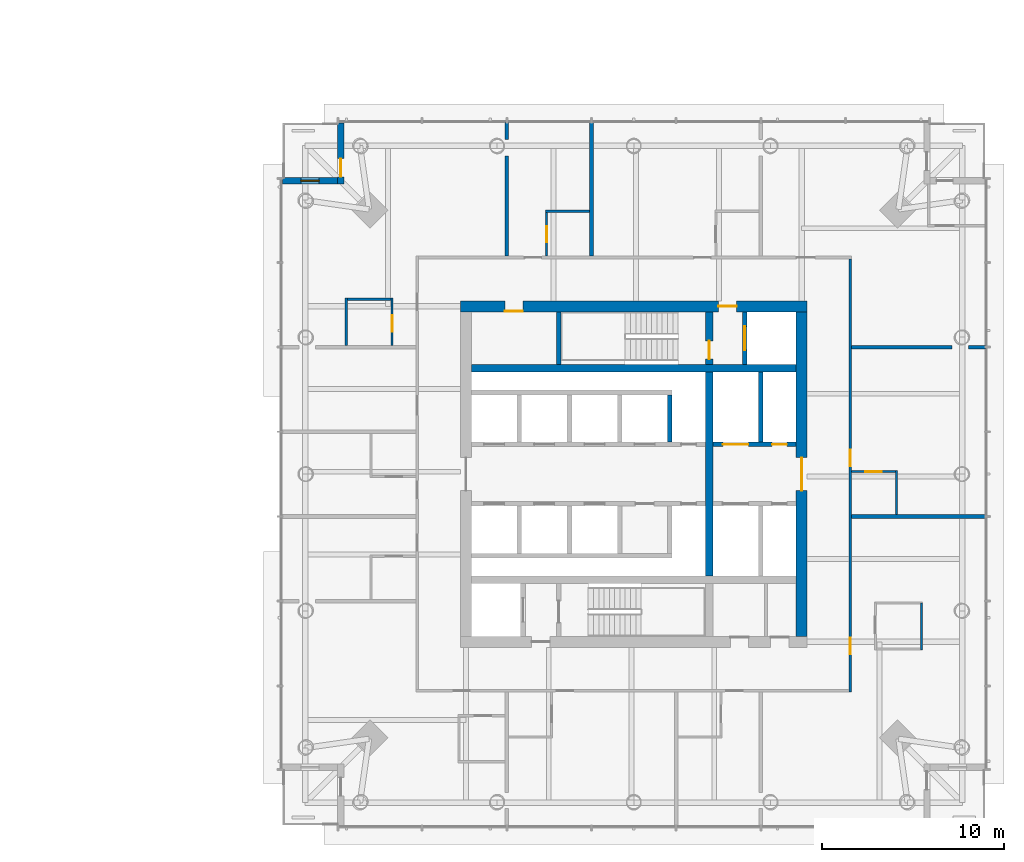
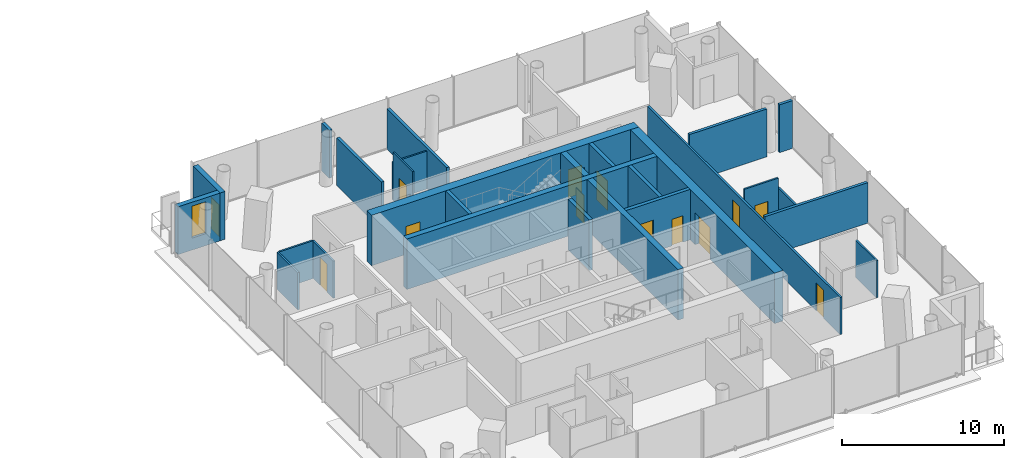
# One storey, part 14 of 21: 27 walls, 13 doors, 1 window, 14 openings.
"""IFC4 building model written with IfcOpenShell, lengths in metres."""

from ifc_helpers import new_model, si_unit, direction, frame, frame_2d, origin, place, context, subcontext, project, spatial, rectangle, extrude, material, layer, layer_set, type_object, element, fill, save


model = new_model("IFC4")

# Units and contexts
model_context = context("Model", 3, precision=1e-05, world=origin(), true_north=direction((0.0, 1.0)))
body_context = subcontext(model_context, "Body", "Model", "MODEL_VIEW")
ifc_project = project(units=[si_unit("LENGTHUNIT", "METRE"), si_unit("AREAUNIT", "SQUARE_METRE"), si_unit("VOLUMEUNIT", "CUBIC_METRE"), si_unit("PLANEANGLEUNIT", "RADIAN"), si_unit("MASSUNIT", "GRAM", prefix="KILO")], contexts=[model_context])

# Site, building, storey
site_placement = place(None, origin())
site = spatial("IfcSite", under=ifc_project, at=site_placement, CompositionType="ELEMENT")
building_placement = place(site_placement, origin())
building = spatial("IfcBuilding", under=site, at=building_placement, Name="Ostroluk Exchange", CompositionType="ELEMENT")
storey_placement = place(building_placement, frame((0.0, 0.0, 43.800048828125)))
storey = spatial("IfcBuildingStorey", under=building, at=storey_placement, Name="L10", CompositionType="ELEMENT", Elevation=43.800048828125)

# Walls
ifc_material_1 = material(Name="Concrete C50/60", Category="concrete")
ifc_layer_1 = layer(ifc_material_1, 0.39990234375)
ifc_layer_set_1 = layer_set([ifc_layer_1], Name="Core cross wall 400 C50/60")
wall_type_1 = type_object("IfcWallType", Name="Core cross wall 400 C50/60", PredefinedType="SHEAR", material=ifc_layer_set_1)
wall_1_placement = place(storey_placement, frame((108.10009765625, 51.800048828125, 0.0), z_axis=(0.0, 0.0, 1.0), x_axis=(1.0, 0.0, 0.0)))
element("IfcWall", 1, at=wall_1_placement, inside=storey, type_object=wall_type_1, Name="T2 core wall XN", PredefinedType="SHEAR", context=body_context, shape_type="SweptSolid", body=[
    extrude(rectangle(XDim=17.7998046875, YDim=0.39990234375, at=frame_2d((8.89990234375, 0.0))), origin(), (0.0, 0.0, 1.0), 3.800048828125),
])
wall_2_placement = place(storey_placement, frame((121.1298828125, 40.39990234375, 0.0), z_axis=(0.0, 0.0, 1.0), x_axis=(0.0, 1.0, 0.0)))
element("IfcWall", 2, at=wall_2_placement, inside=storey, type_object=wall_type_1, Name="T2 core wall YE2", PredefinedType="SHEAR", context=body_context, shape_type="SweptSolid", body=[
    extrude(rectangle(XDim=11.2001953125, YDim=0.39990234375, at=frame_2d((5.60009765625, 0.0))), origin(), (0.0, 0.0, 1.0), 3.800048828125),
])

# Wall, opening, door
wall_3_placement = place(storey_placement, frame((121.1298828125, 52.0, 0.0), z_axis=(0.0, 0.0, 1.0), x_axis=(0.0, 1.0, 0.0)))
wall_3 = element("IfcWall", 3, at=wall_3_placement, inside=storey, type_object=wall_type_1, Name="T2 core wall YE3", PredefinedType="SHEAR", context=body_context, shape_type="SweptSolid", body=[
    extrude(rectangle(XDim=2.89990234375, YDim=0.39990234375, at=frame_2d((1.449951171875, 0.0))), origin(), (0.0, 0.0, 1.0), 3.800048828125),
])
opening_1_placement = place(wall_3_placement, frame((0.300048828125, 0.0, 0.0)))
opening_1 = element("IfcOpeningElement", 4, at=opening_1_placement, cuts=wall_3, Name="Opening FD60", PredefinedType="OPENING", context=body_context, shape_type="SweptSolid", body=[
    extrude(rectangle(XDim=1.0, YDim=2.10009765625, at=frame_2d((0.5, 1.050048828125))), frame((0.0, 0.2099609375, 0.0), z_axis=(0.0, -1.0, 0.0), x_axis=(1.0, 0.0, 0.0)), (0.0, 0.0, 1.0), 0.419921875),
])
ifc_material_2 = material(Name="Steel", Category="steel")
door_type_1 = type_object("IfcDoorType", Name="Fire door EI 60 1000 x 2100", OperationType="SINGLE_SWING_LEFT", PredefinedType="DOOR", material=ifc_material_2)
door_1_placement = place(opening_1_placement, origin())
door_1 = element("IfcDoor", 5, at=door_1_placement, inside=storey, type_object=door_type_1, Name="Stair T2-S2 door", OperationType="SINGLE_SWING_LEFT", OverallHeight=2.10009765625, OverallWidth=1.0, PredefinedType="DOOR", context=body_context, shape_type="SweptSolid", body=[
    extrude(rectangle(XDim=1.0, YDim=2.10009765625, at=frame_2d((0.5, 1.050048828125))), frame((0.0, 0.02490234375, 0.0), z_axis=(0.0, -1.0, 0.0), x_axis=(1.0, 0.0, 0.0)), (0.0, 0.0, 1.0), 0.050048828125),
])
fill(opening_1, door_1)

# Wall
ifc_material_3 = material(Name="Concrete C40/50", Category="concrete")
ifc_layer_2 = layer(ifc_material_3, 0.25)
ifc_layer_set_2 = layer_set([ifc_layer_2], Name="Core shaft wall 250")
wall_type_2 = type_object("IfcWallType", Name="Core shaft wall 250", PredefinedType="SHEAR", material=ifc_layer_set_2)
wall_4_placement = place(storey_placement, frame((112.875, 52.0, 0.0), z_axis=(0.0, 0.0, 1.0), x_axis=(0.0, 1.0, 0.0)))
element("IfcWall", 6, at=wall_4_placement, inside=storey, type_object=wall_type_2, Name="Stair shaft wall", PredefinedType="SHEAR", context=body_context, shape_type="SweptSolid", body=[
    extrude(rectangle(XDim=2.89990234375, YDim=0.25, at=frame_2d((1.449951171875, 0.0))), origin(), (0.0, 0.0, 1.0), 3.800048828125),
])

# Wall, opening, door
wall_5_placement = place(storey_placement, frame((123.074951171875, 52.0, 0.0), z_axis=(0.0, 0.0, 1.0), x_axis=(0.0, 1.0, 0.0)))
wall_5 = element("IfcWall", 7, at=wall_5_placement, inside=storey, type_object=wall_type_2, Name="Firefighting lift shaft wall", PredefinedType="SHEAR", context=body_context, shape_type="SweptSolid", body=[
    extrude(rectangle(XDim=2.89990234375, YDim=0.25, at=frame_2d((1.449951171875, 0.0))), origin(), (0.0, 0.0, 1.0), 3.800048828125),
])
opening_2_placement = place(wall_5_placement, frame((0.800048828125, 0.0, 0.0)))
opening_2 = element("IfcOpeningElement", 8, at=opening_2_placement, cuts=wall_5, Name="Opening LD2", PredefinedType="OPENING", context=body_context, shape_type="SweptSolid", body=[
    extrude(rectangle(XDim=1.300048828125, YDim=2.199951171875, at=frame_2d((0.64990234375, 1.10009765625))), frame((0.0, 0.135009765625, 0.0), z_axis=(0.0, -1.0, 0.0), x_axis=(1.0, 0.0, 0.0)), (0.0, 0.0, 1.0), 0.27001953125),
])
ifc_material_4 = material(Name="Stainless steel", Category="steel")
door_type_2 = type_object("IfcDoorType", Name="Lift landing door E 60 1300 x 2200", OperationType="DOUBLE_DOOR_SLIDING", PredefinedType="DOOR", material=ifc_material_4)
door_2_placement = place(opening_2_placement, origin())
door_2 = element("IfcDoor", 9, at=door_2_placement, inside=storey, type_object=door_type_2, Name="Lift HF2 landing door", OperationType="DOUBLE_DOOR_SLIDING", OverallHeight=2.199951171875, OverallWidth=1.300048828125, PredefinedType="DOOR", context=body_context, shape_type="SweptSolid", body=[
    extrude(rectangle(XDim=1.300048828125, YDim=2.199951171875, at=frame_2d((0.64990234375, 1.10009765625))), frame((0.0, 0.02490234375, 0.0), z_axis=(0.0, -1.0, 0.0), x_axis=(1.0, 0.0, 0.0)), (0.0, 0.0, 1.0), 0.050048828125),
])
fill(opening_2, door_2)

# Walls
wall_6_placement = place(storey_placement, frame((118.97509765625, 47.75, 0.0), z_axis=(0.0, 0.0, 1.0), x_axis=(0.0, 1.0, 0.0)))
element("IfcWall", 10, at=wall_6_placement, inside=storey, type_object=wall_type_2, Name="Lift shaft wall", PredefinedType="SHEAR", context=body_context, shape_type="SweptSolid", body=[
    extrude(rectangle(XDim=2.60009765625, YDim=0.25, at=frame_2d((1.300048828125, 0.0))), origin(), (0.0, 0.0, 1.0), 3.800048828125),
])
wall_7_placement = place(storey_placement, frame((123.955078125, 47.75, 0.0), z_axis=(0.0, 0.0, 1.0), x_axis=(0.0, 1.0, 0.0)))
element("IfcWall", 11, at=wall_7_placement, inside=storey, type_object=wall_type_2, Name="Lift shaft wall", PredefinedType="SHEAR", context=body_context, shape_type="SweptSolid", body=[
    extrude(rectangle(XDim=3.85009765625, YDim=0.25, at=frame_2d((1.925048828125, 0.0))), origin(), (0.0, 0.0, 1.0), 3.800048828125),
])

# Wall, openings, doors
wall_8_placement = place(storey_placement, frame((121.330078125, 47.625, 0.0), z_axis=(0.0, 0.0, 1.0), x_axis=(1.0, 0.0, 0.0)))
wall_8 = element("IfcWall", 12, at=wall_8_placement, inside=storey, type_object=wall_type_2, Name="Lift shaft front wall", PredefinedType="SHEAR", context=body_context, shape_type="SweptSolid", body=[
    extrude(rectangle(XDim=4.56982421875, YDim=0.25, at=frame_2d((2.284912109375, 0.0))), origin(), (0.0, 0.0, 1.0), 3.800048828125),
])
opening_3_placement = place(wall_8_placement, frame((0.550048828125, 0.0, 0.0)))
opening_3 = element("IfcOpeningElement", 13, at=opening_3_placement, cuts=wall_8, Name="Opening LD3", PredefinedType="OPENING", context=body_context, shape_type="SweptSolid", body=[
    extrude(rectangle(XDim=1.39990234375, YDim=2.39990234375, at=frame_2d((0.699951171875, 1.199951171875))), frame((0.0, 0.135009765625, 0.0), z_axis=(0.0, -1.0, 0.0), x_axis=(1.0, 0.0, 0.0)), (0.0, 0.0, 1.0), 0.27001953125),
])
opening_4_placement = place(wall_8_placement, frame((3.260009765625, 0.0, 0.0)))
opening_4 = element("IfcOpeningElement", 14, at=opening_4_placement, cuts=wall_8, Name="Opening RD60", PredefinedType="OPENING", context=body_context, shape_type="SweptSolid", body=[
    extrude(rectangle(XDim=0.800048828125, YDim=2.0, at=frame_2d((0.39990234375, 1.0))), frame((0.0, 0.135009765625, 0.0), z_axis=(0.0, -1.0, 0.0), x_axis=(1.0, 0.0, 0.0)), (0.0, 0.0, 1.0), 0.27001953125),
])
ifc_material_5 = material(Name="Stainless steel", Category="steel")
door_type_3 = type_object("IfcDoorType", Name="Goods lift landing door E 60 1400 x 2400", OperationType="DOUBLE_DOOR_SLIDING", PredefinedType="DOOR", material=ifc_material_5)
door_3_placement = place(opening_3_placement, origin())
door_3 = element("IfcDoor", 15, at=door_3_placement, inside=storey, type_object=door_type_3, Name="Lift HS1 landing door", OperationType="DOUBLE_DOOR_SLIDING", OverallHeight=2.39990234375, OverallWidth=1.39990234375, PredefinedType="DOOR", context=body_context, shape_type="SweptSolid", body=[
    extrude(rectangle(XDim=1.39990234375, YDim=2.39990234375, at=frame_2d((0.699951171875, 1.199951171875))), frame((0.0, 0.02490234375, 0.0), z_axis=(0.0, -1.0, 0.0), x_axis=(1.0, 0.0, 0.0)), (0.0, 0.0, 1.0), 0.050048828125),
])
fill(opening_3, door_3)
ifc_material_6 = material(Name="Steel", Category="steel")
door_type_4 = type_object("IfcDoorType", Name="Riser access door EI 60 800 x 2000", OperationType="SINGLE_SWING_LEFT", PredefinedType="DOOR", material=ifc_material_6)
door_4_placement = place(opening_4_placement, origin())
door_4 = element("IfcDoor", 16, at=door_4_placement, inside=storey, type_object=door_type_4, Name="Riser access door", OperationType="SINGLE_SWING_RIGHT", OverallHeight=2.0, OverallWidth=0.800048828125, PredefinedType="DOOR", context=body_context, shape_type="SweptSolid", body=[
    extrude(rectangle(XDim=0.800048828125, YDim=2.0, at=frame_2d((0.39990234375, 1.0))), frame((0.0, 0.02490234375, 0.0), z_axis=(0.0, -1.0, 0.0), x_axis=(1.0, 0.0, 0.0)), (0.0, 0.0, 1.0), 0.050048828125),
])
fill(opening_4, door_4)

ifc_material_7 = material(Name="Concrete C50/60", Category="concrete")
ifc_layer_3 = layer(ifc_material_7, 0.60009765625)
ifc_layer_set_3 = layer_set([ifc_layer_3], Name="Core wall 600 C50/60")
wall_type_3 = type_object("IfcWallType", Name="Core wall 600 C50/60", PredefinedType="SHEAR", material=ifc_layer_set_3)
wall_9_placement = place(storey_placement, frame((107.5, 55.199951171875, 0.0), z_axis=(0.0, 0.0, 1.0), x_axis=(1.0, 0.0, 0.0)))
wall_9 = element("IfcWall", 17, at=wall_9_placement, inside=storey, type_object=wall_type_3, Name="T2 core wall N", PredefinedType="SHEAR", context=body_context, shape_type="SweptSolid", body=[
    extrude(rectangle(XDim=19.0, YDim=0.60009765625, at=frame_2d((9.5, 0.0))), origin(), (0.0, 0.0, 1.0), 3.800048828125),
])
opening_5_placement = place(wall_9_placement, frame((14.139892578125, 0.0, 0.0)))
opening_5 = element("IfcOpeningElement", 18, at=opening_5_placement, cuts=wall_9, Name="Opening FD60", PredefinedType="OPENING", context=body_context, shape_type="SweptSolid", body=[
    extrude(rectangle(XDim=1.0, YDim=2.10009765625, at=frame_2d((0.5, 1.050048828125))), frame((0.0, 0.31005859375, 0.0), z_axis=(0.0, -1.0, 0.0), x_axis=(1.0, 0.0, 0.0)), (0.0, 0.0, 1.0), 0.6201171875),
])
opening_6_placement = place(wall_9_placement, frame((2.425048828125, 0.0, 0.0)))
opening_6 = element("IfcOpeningElement", 19, at=opening_6_placement, cuts=wall_9, Name="Opening FD60", PredefinedType="OPENING", context=body_context, shape_type="SweptSolid", body=[
    extrude(rectangle(XDim=1.0, YDim=2.10009765625, at=frame_2d((0.5, 1.050048828125))), frame((0.0, 0.31005859375, 0.0), z_axis=(0.0, -1.0, 0.0), x_axis=(1.0, 0.0, 0.0)), (0.0, 0.0, 1.0), 0.6201171875),
])
door_5_placement = place(opening_5_placement, origin())
door_5 = element("IfcDoor", 20, at=door_5_placement, inside=storey, type_object=door_type_1, Name="Firefighting lobby door", OperationType="SINGLE_SWING_RIGHT", OverallHeight=2.10009765625, OverallWidth=1.0, PredefinedType="DOOR", context=body_context, shape_type="SweptSolid", body=[
    extrude(rectangle(XDim=1.0, YDim=2.10009765625, at=frame_2d((0.5, 1.050048828125))), frame((0.0, 0.02490234375, 0.0), z_axis=(0.0, -1.0, 0.0), x_axis=(1.0, 0.0, 0.0)), (0.0, 0.0, 1.0), 0.050048828125),
])
fill(opening_5, door_5)
door_6_placement = place(opening_6_placement, origin())
door_6 = element("IfcDoor", 21, at=door_6_placement, inside=storey, type_object=door_type_1, Name="Ice and vending room door", OperationType="SINGLE_SWING_LEFT", OverallHeight=2.10009765625, OverallWidth=1.0, PredefinedType="DOOR", context=body_context, shape_type="SweptSolid", body=[
    extrude(rectangle(XDim=1.0, YDim=2.10009765625, at=frame_2d((0.5, 1.050048828125))), frame((0.0, -0.23974609375, 0.0), z_axis=(0.0, -1.0, 0.0), x_axis=(1.0, 0.0, 0.0)), (0.0, 0.0, 1.0), 0.050048828125),
])
fill(opening_6, door_6)

# Wall, opening, door
wall_10_placement = place(storey_placement, frame((126.199951171875, 37.10009765625, 0.0), z_axis=(0.0, 0.0, 1.0), x_axis=(0.0, 1.0, 0.0)))
wall_10 = element("IfcWall", 22, at=wall_10_placement, inside=storey, type_object=wall_type_3, Name="T2 core wall E", PredefinedType="SHEAR", context=body_context, shape_type="SweptSolid", body=[
    extrude(rectangle(XDim=17.7998046875, YDim=0.60009765625, at=frame_2d((8.89990234375, 0.0))), origin(), (0.0, 0.0, 1.0), 3.800048828125),
])
opening_7_placement = place(wall_10_placement, frame((8.0, 0.0, 0.0)))
opening_7 = element("IfcOpeningElement", 23, at=opening_7_placement, cuts=wall_10, Name="Opening FD30D", PredefinedType="OPENING", context=body_context, shape_type="SweptSolid", body=[
    extrude(rectangle(XDim=1.800048828125, YDim=2.39990234375, at=frame_2d((0.89990234375, 1.199951171875))), frame((0.0, 0.31005859375, 0.0), z_axis=(0.0, -1.0, 0.0), x_axis=(1.0, 0.0, 0.0)), (0.0, 0.0, 1.0), 0.6201171875),
])
ifc_material_8 = material(Name="Timber", Category="wood")
door_type_5 = type_object("IfcDoorType", Name="Lobby double door EI 30 1800 x 2400", OperationType="DOUBLE_DOOR_SINGLE_SWING", PredefinedType="DOOR", material=ifc_material_8)
door_7_placement = place(opening_7_placement, origin())
door_7 = element("IfcDoor", 24, at=door_7_placement, inside=storey, type_object=door_type_5, Name="Lift lobby doors", OperationType="DOUBLE_DOOR_SINGLE_SWING", OverallHeight=2.39990234375, OverallWidth=1.800048828125, PredefinedType="DOOR", context=body_context, shape_type="SweptSolid", body=[
    extrude(rectangle(XDim=1.800048828125, YDim=2.39990234375, at=frame_2d((0.89990234375, 1.199951171875))), frame((0.0, 0.02490234375, 0.0), z_axis=(0.0, -1.0, 0.0), x_axis=(1.0, 0.0, 0.0)), (0.0, 0.0, 1.0), 0.050048828125),
])
fill(opening_7, door_7)

ifc_material_9 = material(Name="Limestone", Category="masonry")
ifc_layer_4 = layer(ifc_material_9, 0.35009765625)
ifc_layer_set_4 = layer_set([ifc_layer_4], Name="Limestone facade wall 350")
wall_type_4 = type_object("IfcWallType", Name="Limestone facade wall 350", PredefinedType="SOLIDWALL", material=ifc_layer_set_4)
wall_11_placement = place(storey_placement, frame((100.925048828125, 65.25, 0.0), z_axis=(0.0, 0.0, 1.0), x_axis=(0.0, -1.0, 0.0)))
wall_11 = element("IfcWall", 25, at=wall_11_placement, inside=storey, type_object=wall_type_4, Name="Hotel tower NW corner wall L10 a", PredefinedType="SOLIDWALL", context=body_context, shape_type="SweptSolid", body=[
    extrude(rectangle(XDim=3.35009765625, YDim=0.35009765625, at=frame_2d((1.675048828125, 0.0))), origin(), (0.0, 0.0, 1.0), 3.599853515625),
])
opening_8_placement = place(wall_11_placement, frame((1.949951171875, 0.0, 0.0)))
opening_8 = element("IfcOpeningElement", 26, at=opening_8_placement, cuts=wall_11, Name="Opening D-B1", PredefinedType="OPENING", context=body_context, shape_type="SweptSolid", body=[
    extrude(rectangle(XDim=1.0, YDim=2.39990234375, at=frame_2d((0.5, 1.199951171875))), frame((0.0, 0.18505859375, 0.0), z_axis=(0.0, -1.0, 0.0), x_axis=(1.0, 0.0, 0.0)), (0.0, 0.0, 1.0), 0.3701171875),
])
ifc_material_10 = material(Name="Bronze framed glazed door", Category="aluminium")
door_type_6 = type_object("IfcDoorType", Name="Balcony door 1000 x 2400", OperationType="SINGLE_SWING_LEFT", PredefinedType="DOOR", material=ifc_material_10)
door_8_placement = place(opening_8_placement, origin())
door_8 = element("IfcDoor", 27, at=door_8_placement, inside=storey, type_object=door_type_6, Name="Hotel tower NW balcony door L10", OperationType="SINGLE_SWING_RIGHT", OverallHeight=2.39990234375, OverallWidth=1.0, PredefinedType="DOOR", context=body_context, shape_type="SweptSolid", body=[
    extrude(rectangle(XDim=1.0, YDim=2.39990234375, at=frame_2d((0.5, 1.199951171875))), frame((0.0, 0.02490234375, 0.0), z_axis=(0.0, -1.0, 0.0), x_axis=(1.0, 0.0, 0.0)), (0.0, 0.0, 1.0), 0.050048828125),
])
fill(opening_8, door_8)

# Wall, opening, window
wall_12_placement = place(storey_placement, frame((100.75, 62.074951171875, 0.0), z_axis=(0.0, 0.0, 1.0), x_axis=(-1.0, 0.0, 0.0)))
wall_12 = element("IfcWall", 28, at=wall_12_placement, inside=storey, type_object=wall_type_4, Name="Hotel tower NW corner wall L10 b", PredefinedType="SOLIDWALL", context=body_context, shape_type="SweptSolid", body=[
    extrude(rectangle(XDim=3.0, YDim=0.35009765625, at=frame_2d((1.5, 0.0))), origin(), (0.0, 0.0, 1.0), 3.599853515625),
])
opening_9_placement = place(wall_12_placement, frame((1.0, 0.0, 0.89990234375)))
opening_9 = element("IfcOpeningElement", 29, at=opening_9_placement, cuts=wall_12, Name="Opening WN-L3", PredefinedType="OPENING", context=body_context, shape_type="SweptSolid", body=[
    extrude(rectangle(XDim=1.0, YDim=2.39990234375, at=frame_2d((0.5, 1.199951171875))), frame((0.0, 0.18505859375, 0.0), z_axis=(0.0, -1.0, 0.0), x_axis=(1.0, 0.0, 0.0)), (0.0, 0.0, 1.0), 0.3701171875),
])
ifc_material_11 = material(Name="Laminated clear glass", Category="glass")
window_type = type_object("IfcWindowType", Name="Hotel lancet window 1000 x 2400", PartitioningType="SINGLE_PANEL", PredefinedType="WINDOW", material=ifc_material_11)
window_placement = place(opening_9_placement, origin())
window = element("IfcWindow", 30, at=window_placement, inside=storey, type_object=window_type, Name="Hotel tower NW lancet window L10", OverallHeight=2.39990234375, OverallWidth=1.0, PartitioningType="SINGLE_PANEL", PredefinedType="WINDOW", context=body_context, shape_type="SweptSolid", body=[
    extrude(rectangle(XDim=1.0, YDim=2.39990234375, at=frame_2d((0.5, 1.199951171875))), frame((0.0, 0.030029296875, 0.0), z_axis=(0.0, -1.0, 0.0), x_axis=(1.0, 0.0, 0.0)), (0.0, 0.0, 1.0), 0.06005859375),
])
fill(opening_9, window)

# Walls
ifc_material_12 = material(Name="Gypsum plasterboard partition, moisture resistant", Category="gypsum")
ifc_layer_5 = layer(ifc_material_12, 0.1201171875)
ifc_layer_set_5 = layer_set([ifc_layer_5], Name="Plasterboard en-suite wall 120")
wall_type_5 = type_object("IfcWallType", Name="Plasterboard en-suite wall 120", PredefinedType="PARTITIONING", material=ifc_layer_set_5)
wall_13_placement = place(storey_placement, frame((132.77001953125, 38.935791015625, 0.0), z_axis=(0.0, 0.0, 1.0), x_axis=(0.0, -1.0, 0.0)))
element("IfcWall", 31, at=wall_13_placement, inside=storey, type_object=wall_type_5, Name="En-suite wall", PredefinedType="PARTITIONING", context=body_context, shape_type="SweptSolid", body=[
    extrude(rectangle(XDim=2.580078125, YDim=0.1201171875, at=frame_2d((1.2900390625, 0.0))), origin(), (0.0, 0.0, 1.0), 2.800048828125),
])
wall_14_placement = place(storey_placement, frame((131.409912109375, 43.778564453125, 0.0), z_axis=(0.0, 0.0, 1.0), x_axis=(0.0, 1.0, 0.0)))
element("IfcWall", 32, at=wall_14_placement, inside=storey, type_object=wall_type_5, Name="En-suite wall", PredefinedType="PARTITIONING", context=body_context, shape_type="SweptSolid", body=[
    extrude(rectangle(XDim=2.419921875, YDim=0.1201171875, at=frame_2d((1.2099609375, 0.0))), origin(), (0.0, 0.0, 1.0), 2.846923828125),
])

# Wall, opening, door
wall_15_placement = place(storey_placement, frame((128.949951171875, 46.138671875, 0.0), z_axis=(0.0, 0.0, 1.0), x_axis=(1.0, 0.0, 0.0)))
wall_15 = element("IfcWall", 33, at=wall_15_placement, inside=storey, type_object=wall_type_5, Name="En-suite wall", PredefinedType="PARTITIONING", context=body_context, shape_type="SweptSolid", body=[
    extrude(rectangle(XDim=2.400146484375, YDim=0.1201171875, at=frame_2d((1.2001953125, 0.0))), origin(), (0.0, 0.0, 1.0), 3.599853515625),
])
opening_10_placement = place(wall_15_placement, frame((0.75, 0.0, 0.0)))
opening_10 = element("IfcOpeningElement", 34, at=opening_10_placement, cuts=wall_15, Name="Opening D-02", PredefinedType="OPENING", context=body_context, shape_type="SweptSolid", body=[
    extrude(rectangle(XDim=0.89990234375, YDim=2.10009765625, at=frame_2d((0.449951171875, 1.050048828125))), frame((0.0, 0.070068359375, 0.0), z_axis=(0.0, -1.0, 0.0), x_axis=(1.0, 0.0, 0.0)), (0.0, 0.0, 1.0), 0.14013671875),
])
ifc_material_13 = material(Name="Timber", Category="wood")
door_type_7 = type_object("IfcDoorType", Name="En-suite door 900 x 2100", OperationType="SINGLE_SWING_LEFT", PredefinedType="DOOR", material=ifc_material_13)
door_9_placement = place(opening_10_placement, origin())
door_9 = element("IfcDoor", 35, at=door_9_placement, inside=storey, type_object=door_type_7, Name="En-suite door 1002", OperationType="SINGLE_SWING_LEFT", OverallHeight=2.10009765625, OverallWidth=0.89990234375, PredefinedType="DOOR", context=body_context, shape_type="SweptSolid", body=[
    extrude(rectangle(XDim=0.89990234375, YDim=2.10009765625, at=frame_2d((0.449951171875, 1.050048828125))), frame((0.0, 0.02490234375, 0.0), z_axis=(0.0, -1.0, 0.0), x_axis=(1.0, 0.0, 0.0)), (0.0, 0.0, 1.0), 0.050048828125),
])
fill(opening_10, door_9)

# Wall
wall_16_placement = place(storey_placement, frame((114.57861328125, 60.409912109375, 0.0), z_axis=(0.0, 0.0, 1.0), x_axis=(-1.0, 0.0, 0.0)))
element("IfcWall", 36, at=wall_16_placement, inside=storey, type_object=wall_type_5, Name="En-suite wall", PredefinedType="PARTITIONING", context=body_context, shape_type="SweptSolid", body=[
    extrude(rectangle(XDim=2.419921875, YDim=0.1201171875, at=frame_2d((1.2099609375, 0.0))), origin(), (0.0, 0.0, 1.0), 2.846923828125),
])

# Wall, opening, door
wall_17_placement = place(storey_placement, frame((112.218505859375, 57.949951171875, 0.0), z_axis=(0.0, 0.0, 1.0), x_axis=(0.0, 1.0, 0.0)))
wall_17 = element("IfcWall", 37, at=wall_17_placement, inside=storey, type_object=wall_type_5, Name="En-suite wall", PredefinedType="PARTITIONING", context=body_context, shape_type="SweptSolid", body=[
    extrude(rectangle(XDim=2.400146484375, YDim=0.1201171875, at=frame_2d((1.2001953125, 0.0))), origin(), (0.0, 0.0, 1.0), 3.599853515625),
])
opening_11_placement = place(wall_17_placement, frame((0.75, 0.0, 0.0)))
opening_11 = element("IfcOpeningElement", 38, at=opening_11_placement, cuts=wall_17, Name="Opening D-02", PredefinedType="OPENING", context=body_context, shape_type="SweptSolid", body=[
    extrude(rectangle(XDim=0.89990234375, YDim=2.10009765625, at=frame_2d((0.449951171875, 1.050048828125))), frame((0.0, 0.070068359375, 0.0), z_axis=(0.0, -1.0, 0.0), x_axis=(1.0, 0.0, 0.0)), (0.0, 0.0, 1.0), 0.14013671875),
])
door_10_placement = place(opening_11_placement, origin())
door_10 = element("IfcDoor", 39, at=door_10_placement, inside=storey, type_object=door_type_7, Name="En-suite door 1004", OperationType="SINGLE_SWING_RIGHT", OverallHeight=2.10009765625, OverallWidth=0.89990234375, PredefinedType="DOOR", context=body_context, shape_type="SweptSolid", body=[
    extrude(rectangle(XDim=0.89990234375, YDim=2.10009765625, at=frame_2d((0.449951171875, 1.050048828125))), frame((0.0, 0.02490234375, 0.0), z_axis=(0.0, -1.0, 0.0), x_axis=(1.0, 0.0, 0.0)), (0.0, 0.0, 1.0), 0.050048828125),
])
fill(opening_11, door_10)

wall_18_placement = place(storey_placement, frame((103.75, 53.064208984375, 0.0), z_axis=(0.0, 0.0, 1.0), x_axis=(0.0, 1.0, 0.0)))
wall_18 = element("IfcWall", 40, at=wall_18_placement, inside=storey, type_object=wall_type_5, Name="En-suite wall", PredefinedType="PARTITIONING", context=body_context, shape_type="SweptSolid", body=[
    extrude(rectangle(XDim=2.580078125, YDim=0.1201171875, at=frame_2d((1.2900390625, 0.0))), origin(), (0.0, 0.0, 1.0), 2.800048828125),
])
opening_12_placement = place(wall_18_placement, frame((0.75, 0.0, 0.0)))
opening_12 = element("IfcOpeningElement", 41, at=opening_12_placement, cuts=wall_18, Name="Opening D-02", PredefinedType="OPENING", context=body_context, shape_type="SweptSolid", body=[
    extrude(rectangle(XDim=0.89990234375, YDim=2.10009765625, at=frame_2d((0.449951171875, 1.050048828125))), frame((0.0, 0.070068359375, 0.0), z_axis=(0.0, -1.0, 0.0), x_axis=(1.0, 0.0, 0.0)), (0.0, 0.0, 1.0), 0.14013671875),
])
door_11_placement = place(opening_12_placement, origin())
door_11 = element("IfcDoor", 42, at=door_11_placement, inside=storey, type_object=door_type_7, Name="En-suite door 1005", OperationType="SINGLE_SWING_LEFT", OverallHeight=2.10009765625, OverallWidth=0.89990234375, PredefinedType="DOOR", context=body_context, shape_type="SweptSolid", body=[
    extrude(rectangle(XDim=0.89990234375, YDim=2.10009765625, at=frame_2d((0.449951171875, 1.050048828125))), frame((0.0, 0.02490234375, 0.0), z_axis=(0.0, -1.0, 0.0), x_axis=(1.0, 0.0, 0.0)), (0.0, 0.0, 1.0), 0.050048828125),
])
fill(opening_12, door_11)

# Walls
wall_19_placement = place(storey_placement, frame((101.22998046875, 53.064208984375, 0.0), z_axis=(0.0, 0.0, 1.0), x_axis=(0.0, 1.0, 0.0)))
element("IfcWall", 43, at=wall_19_placement, inside=storey, type_object=wall_type_5, Name="En-suite wall", PredefinedType="PARTITIONING", context=body_context, shape_type="SweptSolid", body=[
    extrude(rectangle(XDim=2.580078125, YDim=0.1201171875, at=frame_2d((1.2900390625, 0.0))), origin(), (0.0, 0.0, 1.0), 2.800048828125),
])
wall_20_placement = place(storey_placement, frame((103.68994140625, 55.584228515625, 0.0), z_axis=(0.0, 0.0, 1.0), x_axis=(-1.0, 0.0, 0.0)))
element("IfcWall", 44, at=wall_20_placement, inside=storey, type_object=wall_type_5, Name="En-suite wall", PredefinedType="PARTITIONING", context=body_context, shape_type="SweptSolid", body=[
    extrude(rectangle(XDim=2.39990234375, YDim=0.1201171875, at=frame_2d((1.199951171875, 0.0))), origin(), (0.0, 0.0, 1.0), 2.846923828125),
])

# Wall, openings, doors
ifc_material_14 = material(Name="Gypsum plasterboard partition", Category="gypsum")
ifc_layer_6 = layer(ifc_material_14, 0.14990234375)
ifc_layer_set_6 = layer_set([ifc_layer_6], Name="Plasterboard partition 150")
wall_type_6 = type_object("IfcWallType", Name="Plasterboard partition 150", PredefinedType="PARTITIONING", material=ifc_layer_set_6)
wall_21_placement = place(storey_placement, frame((128.875, 34.050048828125, 0.0), z_axis=(0.0, 0.0, 1.0), x_axis=(0.0, 1.0, 0.0)))
wall_21 = element("IfcWall", 45, at=wall_21_placement, inside=storey, type_object=wall_type_6, Name="Corridor wall", PredefinedType="PARTITIONING", context=body_context, shape_type="SweptSolid", body=[
    extrude(rectangle(XDim=23.75, YDim=0.14990234375, at=frame_2d((11.875, 0.0))), origin(), (0.0, 0.0, 1.0), 2.800048828125),
])
opening_13_placement = place(wall_21_placement, frame((2.06787109375, 0.0, 0.0)))
opening_13 = element("IfcOpeningElement", 46, at=opening_13_placement, cuts=wall_21, Name="Opening D-01", PredefinedType="OPENING", context=body_context, shape_type="SweptSolid", body=[
    extrude(rectangle(XDim=0.89990234375, YDim=2.10009765625, at=frame_2d((0.449951171875, 1.050048828125))), frame((0.0, 0.0849609375, 0.0), z_axis=(0.0, -1.0, 0.0), x_axis=(1.0, 0.0, 0.0)), (0.0, 0.0, 1.0), 0.169921875),
])
opening_14_placement = place(wall_21_placement, frame((12.378662109375, 0.0, 0.0)))
opening_14 = element("IfcOpeningElement", 47, at=opening_14_placement, cuts=wall_21, Name="Opening D-01", PredefinedType="OPENING", context=body_context, shape_type="SweptSolid", body=[
    extrude(rectangle(XDim=0.89990234375, YDim=2.10009765625, at=frame_2d((0.449951171875, 1.050048828125))), frame((0.0, 0.0849609375, 0.0), z_axis=(0.0, -1.0, 0.0), x_axis=(1.0, 0.0, 0.0)), (0.0, 0.0, 1.0), 0.169921875),
])
ifc_material_15 = material(Name="Timber", Category="wood")
door_type_8 = type_object("IfcDoorType", Name="Hotel room door EI 30 Sa 900 x 2100", OperationType="SINGLE_SWING_LEFT", PredefinedType="DOOR", material=ifc_material_15)
door_12_placement = place(opening_13_placement, origin())
door_12 = element("IfcDoor", 48, at=door_12_placement, inside=storey, type_object=door_type_8, Name="Room door 1001", OperationType="SINGLE_SWING_LEFT", OverallHeight=2.10009765625, OverallWidth=0.89990234375, PredefinedType="DOOR", context=body_context, shape_type="SweptSolid", body=[
    extrude(rectangle(XDim=0.89990234375, YDim=2.10009765625, at=frame_2d((0.449951171875, 1.050048828125))), frame((0.0, 0.02490234375, 0.0), z_axis=(0.0, -1.0, 0.0), x_axis=(1.0, 0.0, 0.0)), (0.0, 0.0, 1.0), 0.050048828125),
])
fill(opening_13, door_12)
door_13_placement = place(opening_14_placement, origin())
door_13 = element("IfcDoor", 49, at=door_13_placement, inside=storey, type_object=door_type_8, Name="Room door 1002", OperationType="SINGLE_SWING_RIGHT", OverallHeight=2.10009765625, OverallWidth=0.89990234375, PredefinedType="DOOR", context=body_context, shape_type="SweptSolid", body=[
    extrude(rectangle(XDim=0.89990234375, YDim=2.10009765625, at=frame_2d((0.449951171875, 1.050048828125))), frame((0.0, 0.02490234375, 0.0), z_axis=(0.0, -1.0, 0.0), x_axis=(1.0, 0.0, 0.0)), (0.0, 0.0, 1.0), 0.050048828125),
])
fill(opening_14, door_13)

# Walls
ifc_material_16 = material(Name="Gypsum plasterboard partition", Category="gypsum")
ifc_layer_7 = layer(ifc_material_16, 0.199951171875)
ifc_layer_set_7 = layer_set([ifc_layer_7], Name="Plasterboard party wall 200")
wall_type_7 = type_object("IfcWallType", Name="Plasterboard party wall 200", PredefinedType="PARTITIONING", material=ifc_layer_set_7)
wall_22_placement = place(storey_placement, frame((128.949951171875, 43.678466796875, 0.0), z_axis=(0.0, 0.0, 1.0), x_axis=(1.0, 0.0, 0.0)))
element("IfcWall", 50, at=wall_22_placement, inside=storey, type_object=wall_type_7, Name="Party wall", PredefinedType="PARTITIONING", context=body_context, shape_type="SweptSolid", body=[
    extrude(rectangle(XDim=7.340087890625, YDim=0.199951171875, at=frame_2d((3.669921875, 0.0))), origin(), (0.0, 0.0, 1.0), 3.050048828125),
])
wall_23_placement = place(storey_placement, frame((128.949951171875, 52.96435546875, 0.0), z_axis=(0.0, 0.0, 1.0), x_axis=(1.0, 0.0, 0.0)))
element("IfcWall", 51, at=wall_23_placement, inside=storey, type_object=wall_type_7, Name="Party wall", PredefinedType="PARTITIONING", context=body_context, shape_type="SweptSolid", body=[
    extrude(rectangle(XDim=5.4970703125, YDim=0.199951171875, at=frame_2d((2.74853515625, 0.0))), origin(), (0.0, 0.0, 1.0), 3.599853515625),
])
wall_24_placement = place(storey_placement, frame((135.34814453125, 52.96435546875, 0.0), z_axis=(0.0, 0.0, 1.0), x_axis=(1.0, 0.0, 0.0)))
element("IfcWall", 52, at=wall_24_placement, inside=storey, type_object=wall_type_7, Name="Party wall", PredefinedType="PARTITIONING", context=body_context, shape_type="SweptSolid", body=[
    extrude(rectangle(XDim=0.94189453125, YDim=0.199951171875, at=frame_2d((0.470947265625, 0.0))), origin(), (0.0, 0.0, 1.0), 3.599853515625),
])
wall_25_placement = place(storey_placement, frame((114.678466796875, 57.949951171875, 0.0), z_axis=(0.0, 0.0, 1.0), x_axis=(0.0, 1.0, 0.0)))
element("IfcWall", 53, at=wall_25_placement, inside=storey, type_object=wall_type_7, Name="Party wall", PredefinedType="PARTITIONING", context=body_context, shape_type="SweptSolid", body=[
    extrude(rectangle(XDim=7.340087890625, YDim=0.199951171875, at=frame_2d((3.669921875, 0.0))), origin(), (0.0, 0.0, 1.0), 3.050048828125),
])
wall_26_placement = place(storey_placement, frame((110.03564453125, 57.949951171875, 0.0), z_axis=(0.0, 0.0, 1.0), x_axis=(0.0, 1.0, 0.0)))
element("IfcWall", 54, at=wall_26_placement, inside=storey, type_object=wall_type_7, Name="Party wall", PredefinedType="PARTITIONING", context=body_context, shape_type="SweptSolid", body=[
    extrude(rectangle(XDim=5.4970703125, YDim=0.199951171875, at=frame_2d((2.74853515625, 0.0))), origin(), (0.0, 0.0, 1.0), 3.599853515625),
])
wall_27_placement = place(storey_placement, frame((110.03564453125, 64.34814453125, 0.0), z_axis=(0.0, 0.0, 1.0), x_axis=(0.0, 1.0, 0.0)))
element("IfcWall", 55, at=wall_27_placement, inside=storey, type_object=wall_type_7, Name="Party wall", PredefinedType="PARTITIONING", context=body_context, shape_type="SweptSolid", body=[
    extrude(rectangle(XDim=0.94189453125, YDim=0.199951171875, at=frame_2d((0.470947265625, 0.0))), origin(), (0.0, 0.0, 1.0), 3.599853515625),
])

save(model, "model.ifc")
